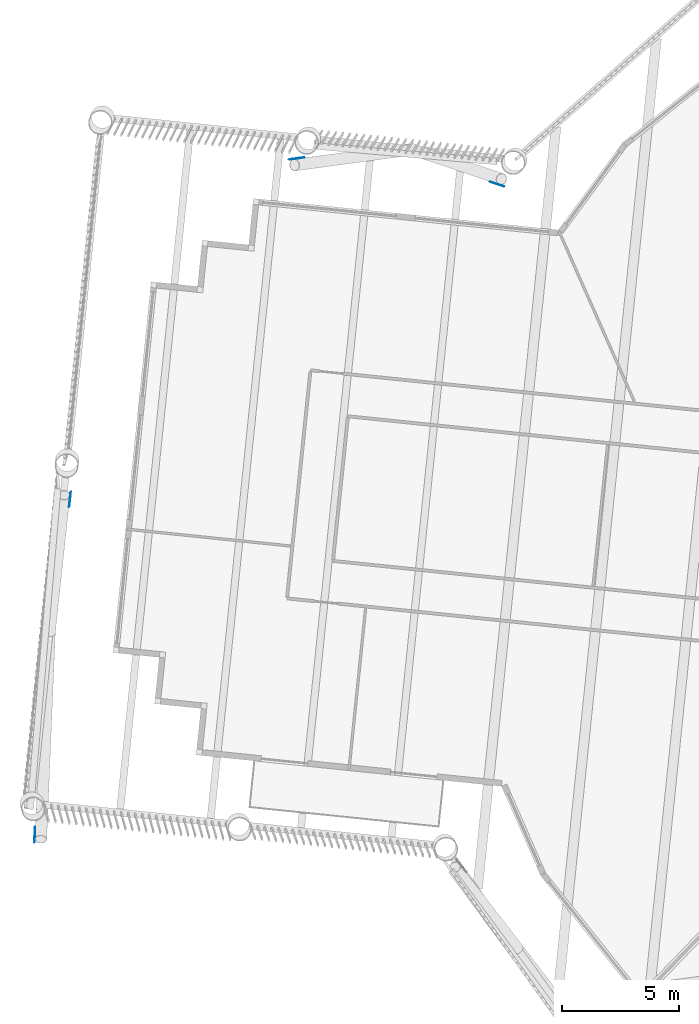
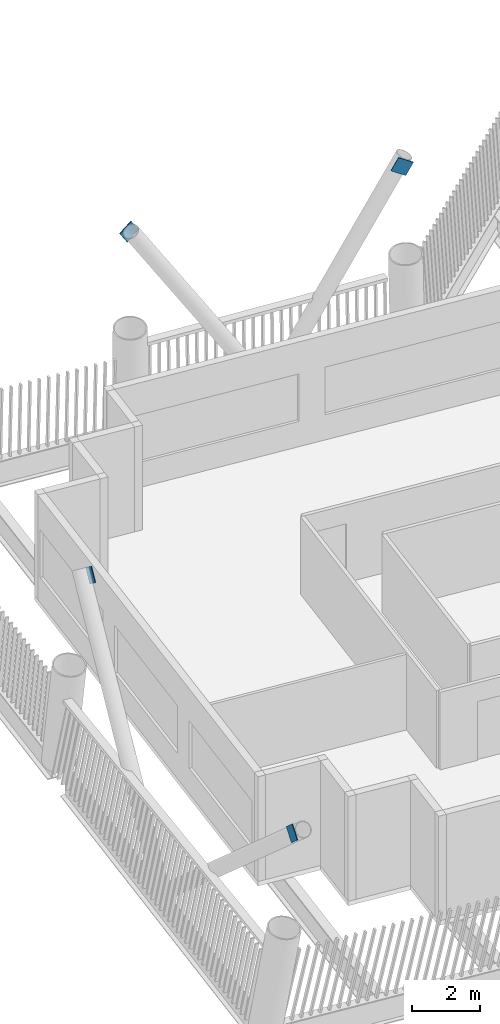
# One storey, part 12 of 22: 4 discrete accessories.
"""IFC4 building model written with IfcOpenShell, lengths in metres."""

from ifc_helpers import new_model, si_unit, direction, frame, origin, origin_2d, place, context, subcontext, project, spatial, rectangle, extrude, material, material_profile, profile_set, type_object, element, save


model = new_model("IFC4")

# Units and contexts
model_context = context("Model", 3, precision=1e-05, world=origin(), true_north=direction((0.0, 1.0)))
body_context = subcontext(model_context, "Body", "Model", "MODEL_VIEW")
ifc_project = project(units=[si_unit("LENGTHUNIT", "METRE"), si_unit("AREAUNIT", "SQUARE_METRE"), si_unit("VOLUMEUNIT", "CUBIC_METRE"), si_unit("PLANEANGLEUNIT", "RADIAN"), si_unit("MASSUNIT", "GRAM", prefix="KILO")], contexts=[model_context])

# Site, building, storey
site_placement = place(None, origin())
site = spatial("IfcSite", under=ifc_project, at=site_placement, CompositionType="ELEMENT")
building_placement = place(site_placement, origin())
building = spatial("IfcBuilding", under=site, at=building_placement, Name="Tarsis Ring Headquarters", CompositionType="ELEMENT")
storey_placement = place(building_placement, frame((0.0, 0.0, 263.0)))
storey = spatial("IfcBuildingStorey", under=building, at=storey_placement, Name="L61", CompositionType="ELEMENT", Elevation=263.0)

# Discrete accessories
ifc_material = material(Name="Structural steel S355", Category="steel")
ifc_material_profile = material_profile(ifc_material, rectangle(XDim=0.02490234375, YDim=0.5, at=origin_2d()), Name="PL 25x500")
ifc_profile_set = profile_set([ifc_material_profile], Name="Structural steel S355")
discrete_accessory_type = type_object("IfcDiscreteAccessoryType", Name="Gusset plate Exo brace 25", PredefinedType="BRACKET", material=ifc_profile_set)
for number, where, z_axis, x_axis, name in (
    (1, (-32.854248046875, 17.323974609375, 7.800048828125), (0.541568276365, 0.072762554715, -0.837501888157), (-0.133158802946, 0.991094714544, 0.0), "Gusset plate GP5"),
    (2, (-24.021240234375, 16.20458984375, 7.800048828125), (-0.436551696687, 0.146005545089, -0.887752779169), (-0.317182335319, -0.948364574498, 0.0), "Gusset plate GP5"),
    (3, (-43.9697265625, -11.85888671875, 7.800048828125), (0.031246971779, 0.751392024503, -0.659115810968), (-0.999136445258, 0.041549533786, 0.0), "Gusset plate GP5"),
    (4, (-42.43701171875, 2.86767578125, 7.800048828125), (-0.064451204233, -0.600079772746, -0.797339519035), (0.994281575346, -0.106790209883, 0.0), "Gusset plate GP5"),
):
    element("IfcDiscreteAccessory", number, at=place(storey_placement, frame(where, z_axis=z_axis, x_axis=x_axis)), inside=storey, type_object=discrete_accessory_type, Name=name, PredefinedType="BRACKET", context=body_context, shape_type="SweptSolid", body=[
        extrude(rectangle(XDim=0.02490234375, YDim=0.5, at=origin_2d()), origin(), (0.0, 0.0, 1.0), 0.5),
    ])

save(model, "model.ifc")
